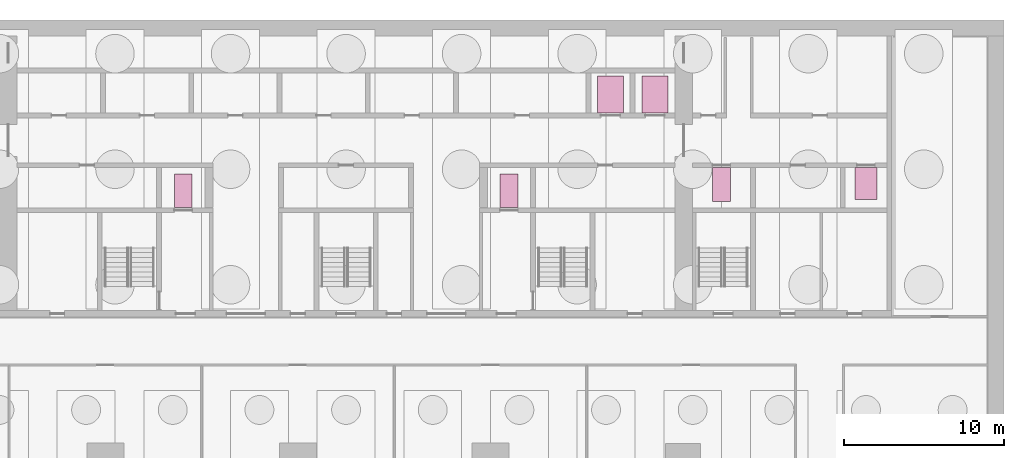
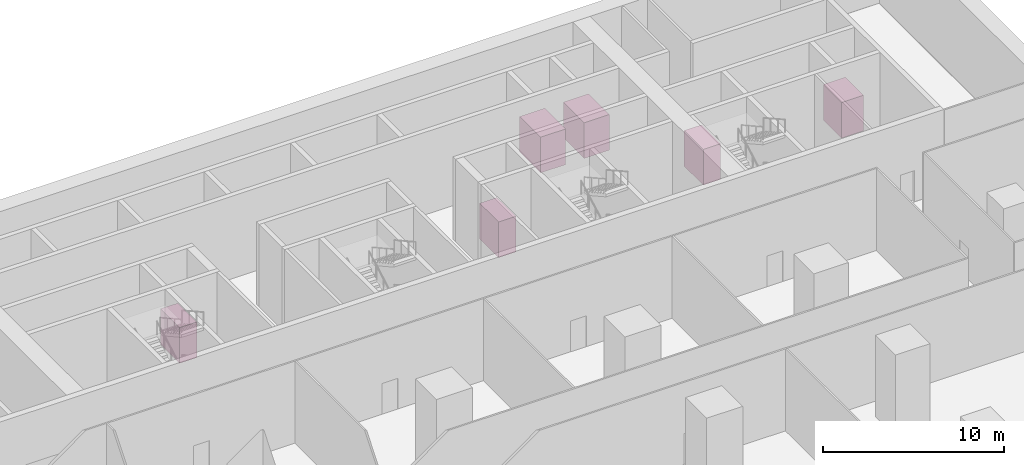
# One storey, part 11 of 11: 6 transport elements.
"""IFC4 building model written with IfcOpenShell, lengths in metres."""

from ifc_helpers import new_model, si_unit, direction, frame, origin, origin_2d, place, context, subcontext, project, spatial, rectangle, extrude, material, type_object, element, save


model = new_model("IFC4")

# Units and contexts
model_context = context("Model", 3, precision=1e-05, world=origin(), true_north=direction((0.0, 1.0)))
body_context = subcontext(model_context, "Body", "Model", "MODEL_VIEW")
ifc_project = project(units=[si_unit("LENGTHUNIT", "METRE"), si_unit("AREAUNIT", "SQUARE_METRE"), si_unit("VOLUMEUNIT", "CUBIC_METRE"), si_unit("PLANEANGLEUNIT", "RADIAN"), si_unit("MASSUNIT", "GRAM", prefix="KILO")], contexts=[model_context])

# Site, building, storey
site_placement = place(None, origin())
site = spatial("IfcSite", under=ifc_project, at=site_placement, CompositionType="ELEMENT")
building_placement = place(site_placement, origin())
building = spatial("IfcBuilding", under=site, at=building_placement, Name="Calvaro Tower", CompositionType="ELEMENT")
storey_placement = place(building_placement, frame((0.0, 0.0, -12.0)))
storey = spatial("IfcBuildingStorey", under=building, at=storey_placement, Name="B2", CompositionType="ELEMENT", Elevation=-12.0)

# Transport elements
ifc_material_1 = material(Name="Stainless steel", Category="steel")
transport_element_type_1 = type_object("IfcTransportElementType", Name="Cycle lift CY 1400 by 2000", PredefinedType="ELEVATOR", material=ifc_material_1)
transport_element_placement = place(storey_placement, frame((71.39990234375, 36.300048828125, 0.0), z_axis=(0.0, 0.0, 1.0), x_axis=(1.0, 0.0, 0.0)))
element("IfcTransportElement", 1, at=transport_element_placement, inside=storey, type_object=transport_element_type_1, Name="CY1", PredefinedType="ELEVATOR", context=body_context, shape_type="SweptSolid", body=[
    extrude(rectangle(XDim=1.39990234375, YDim=2.0, at=origin_2d()), origin(), (0.0, 0.0, 1.0), 2.39990234375),
])
ifc_material_2 = material(Name="Stainless steel", Category="steel")
transport_element_type_2 = type_object("IfcTransportElementType", Name="Firefighting lift FF 1100 by 2100", PredefinedType="ELEVATOR", material=ifc_material_2)
for number, where, z_axis, x_axis, name in (
    (2, (62.39990234375, 36.25, 0.0), (0.0, 0.0, 1.0), (1.0, 0.0, 0.0), "FF3"),
    (3, (28.85009765625, 35.85009765625, 0.0), (0.0, 0.0, 1.0), (1.0, 0.0, 0.0), "FF1"),
    (4, (49.14990234375, 35.85009765625, 0.0), (0.0, 0.0, 1.0), (1.0, 0.0, 0.0), "FF2"),
):
    element("IfcTransportElement", number, at=place(storey_placement, frame(where, z_axis=z_axis, x_axis=x_axis)), inside=storey, type_object=transport_element_type_2, Name=name, PredefinedType="ELEVATOR", context=body_context, shape_type="SweptSolid", body=[
        extrude(rectangle(XDim=1.10009765625, YDim=2.10009765625, at=origin_2d()), origin(), (0.0, 0.0, 1.0), 2.39990234375),
    ])
ifc_material_3 = material(Name="Stainless steel", Category="steel")
transport_element_type_3 = type_object("IfcTransportElementType", Name="Service lift SV 1600 by 2300", PredefinedType="ELEVATOR", material=ifc_material_3)
for number, where, z_axis, x_axis, name in (
    (5, (55.47509765625, 41.85009765625, 0.0), (0.0, 0.0, 1.0), (1.0, 0.0, 0.0), "SV1"),
    (6, (58.25, 41.85009765625, 0.0), (0.0, 0.0, 1.0), (1.0, 0.0, 0.0), "SV2"),
):
    element("IfcTransportElement", number, at=place(storey_placement, frame(where, z_axis=z_axis, x_axis=x_axis)), inside=storey, type_object=transport_element_type_3, Name=name, PredefinedType="ELEVATOR", context=body_context, shape_type="SweptSolid", body=[
        extrude(rectangle(XDim=1.60009765625, YDim=2.300048828125, at=origin_2d()), origin(), (0.0, 0.0, 1.0), 2.39990234375),
    ])

save(model, "model.ifc")
